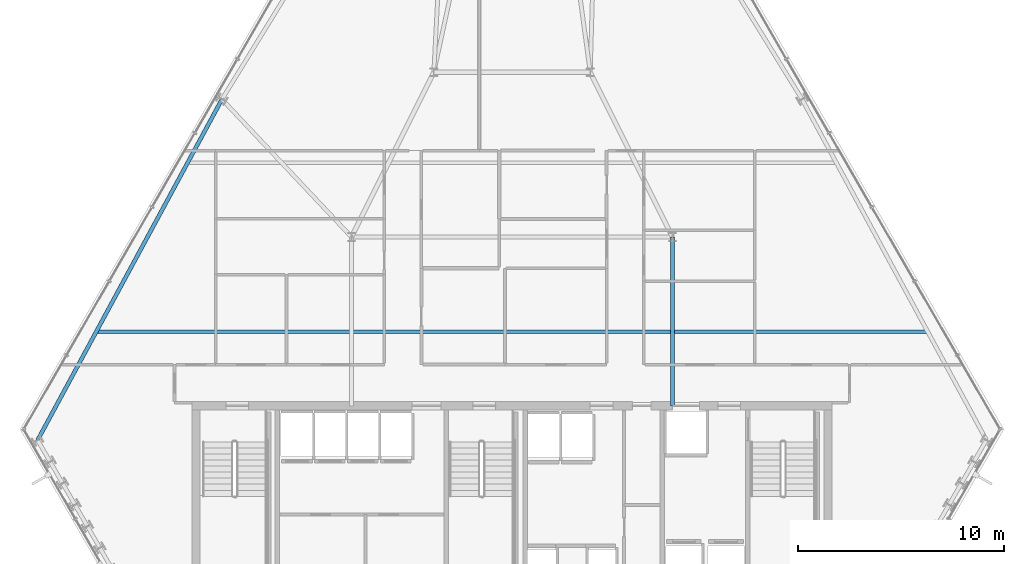
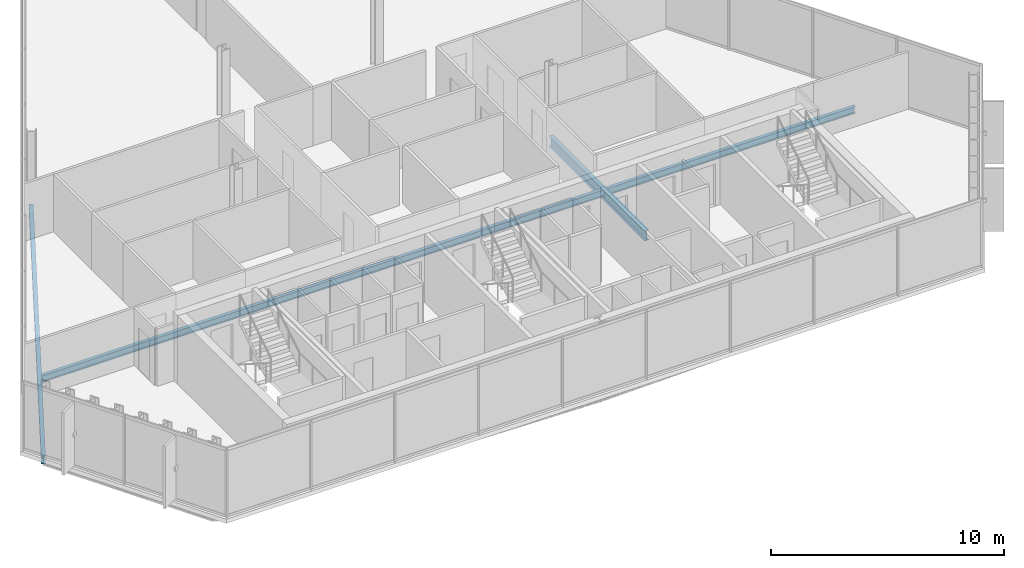
# One storey, part 10 of 35: 3 beams.
"""IFC4 building model written with IfcOpenShell, lengths in metres."""

from ifc_helpers import new_model, si_unit, direction, frame, origin, origin_2d, place, context, subcontext, project, spatial, i_section, extrude, material, material_profile, profile_set, type_object, element, save


model = new_model("IFC4")

# Units and contexts
model_context = context("Model", 3, precision=1e-05, world=origin(), true_north=direction((0.0, 1.0)))
body_context = subcontext(model_context, "Body", "Model", "MODEL_VIEW")
ifc_project = project(units=[si_unit("LENGTHUNIT", "METRE"), si_unit("AREAUNIT", "SQUARE_METRE"), si_unit("VOLUMEUNIT", "CUBIC_METRE"), si_unit("PLANEANGLEUNIT", "RADIAN"), si_unit("MASSUNIT", "GRAM", prefix="KILO")], contexts=[model_context])

# Site, building, storey
site_placement = place(None, origin())
site = spatial("IfcSite", under=ifc_project, at=site_placement, CompositionType="ELEMENT")
building_placement = place(site_placement, origin())
building = spatial("IfcBuilding", under=site, at=building_placement, Name="Ndaravel Arena Tower", CompositionType="ELEMENT")
storey_placement = place(building_placement, frame((0.0, 0.0, 176.39990234375)))
storey = spatial("IfcBuildingStorey", under=building, at=storey_placement, Name="L42", CompositionType="ELEMENT", Elevation=176.39990234375)

# Beams
ifc_material_1 = material(Name="Steel S355", Category="steel")
ifc_material_profile_1 = material_profile(ifc_material_1, i_section(OverallWidth=0.210693359375, OverallDepth=0.53955078125, WebThickness=0.01171875, FlangeThickness=0.018798828125, FilletRadius=0.0126953125, at=origin_2d()), Name="UB 533x210x109")
ifc_profile_set_1 = profile_set([ifc_material_profile_1], Name="Steel S355")
beam_type_1 = type_object("IfcBeamType", Name="BM-GIRD-UB533", PredefinedType="BEAM", material=ifc_profile_set_1)
beam_1_placement = place(storey_placement, frame((49.800048828125, 14.97998046875, -0.489501953125), z_axis=(0.0, 1.0, 0.0), x_axis=(-1.0, 0.0, 0.0)))
element("IfcBeam", 1, at=beam_1_placement, inside=storey, type_object=beam_type_1, Name="L42 Spine Link Girder SLG-02", PredefinedType="BEAM", context=body_context, shape_type="SweptSolid", body=[
    extrude(i_section(OverallWidth=0.210693359375, OverallDepth=0.53955078125, WebThickness=0.01171875, FlangeThickness=0.018798828125, FilletRadius=0.0126953125, at=origin_2d()), origin(), (0.0, 0.0, 1.0), 8.219970703125),
])
ifc_material_2 = material(Name="Steel S355", Category="steel")
ifc_material_profile_2 = material_profile(ifc_material_2, i_section(OverallWidth=0.172119140625, OverallDepth=0.35791015625, WebThickness=0.008056640625, FlangeThickness=0.012939453125, FilletRadius=0.01025390625, at=origin_2d()), Name="UB 356x171x57")
ifc_profile_set_2 = profile_set([ifc_material_profile_2], Name="Steel S355")
beam_type_2 = type_object("IfcBeamType", Name="BM-JOIST-UB356", PredefinedType="JOIST", material=ifc_profile_set_2)
beam_2_placement = place(storey_placement, frame((21.800048828125, 18.60009765625, -0.39892578125), z_axis=(1.0, 0.0, 0.0), x_axis=(0.0, 1.0, 0.0)))
element("IfcBeam", 2, at=beam_2_placement, inside=storey, type_object=beam_type_2, Name="L42 Composite Floor Joist FJ-01", PredefinedType="JOIST", context=body_context, shape_type="SweptSolid", body=[
    extrude(i_section(OverallWidth=0.172119140625, OverallDepth=0.35791015625, WebThickness=0.008056640625, FlangeThickness=0.012939453125, FilletRadius=0.01025390625, at=origin_2d()), origin(), (0.0, 0.0, 1.0), 40.39990234375),
])
ifc_material_3 = material(Name="Steel S355", Category="steel")
ifc_material_profile_3 = material_profile(ifc_material_3, i_section(OverallWidth=0.18994140625, OverallDepth=0.449951171875, WebThickness=0.009521484375, FlangeThickness=0.0146484375, FilletRadius=0.02099609375, at=origin_2d()), Name="IPE 450")
ifc_profile_set_3 = profile_set([ifc_material_profile_3], Name="Steel S355")
beam_type_3 = type_object("IfcBeamType", Name="BM-SPAN-IPE450", PredefinedType="SPANDREL", material=ifc_profile_set_3)
beam_3_placement = place(storey_placement, frame((27.906494140625, 29.890380859375, -0.44482421875), z_axis=(-0.475732906859, -0.879589791512, 0.0), x_axis=(0.879589791512, -0.475732906859, 0.0)))
element("IfcBeam", 3, at=beam_3_placement, inside=storey, type_object=beam_type_3, Name="L42 Perimeter Spandrel Beam SP-19", PredefinedType="SPANDREL", context=body_context, shape_type="SweptSolid", body=[
    extrude(i_section(OverallWidth=0.18994140625, OverallDepth=0.449951171875, WebThickness=0.009521484375, FlangeThickness=0.0146484375, FilletRadius=0.02099609375, at=origin_2d()), origin(), (0.0, 0.0, 1.0), 18.827880859375),
])

save(model, "model.ifc")
